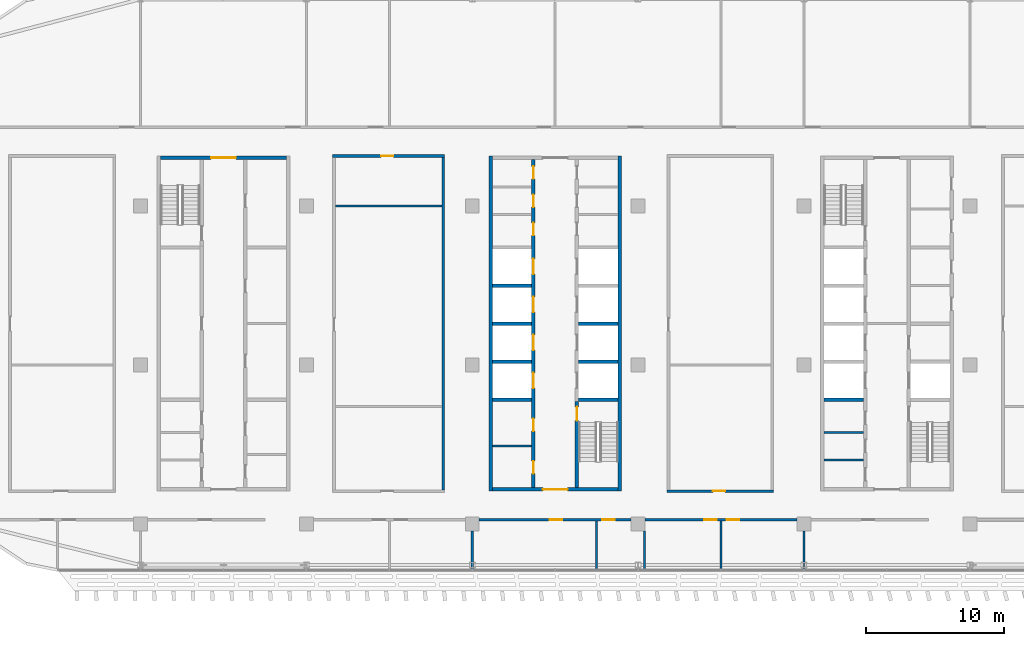
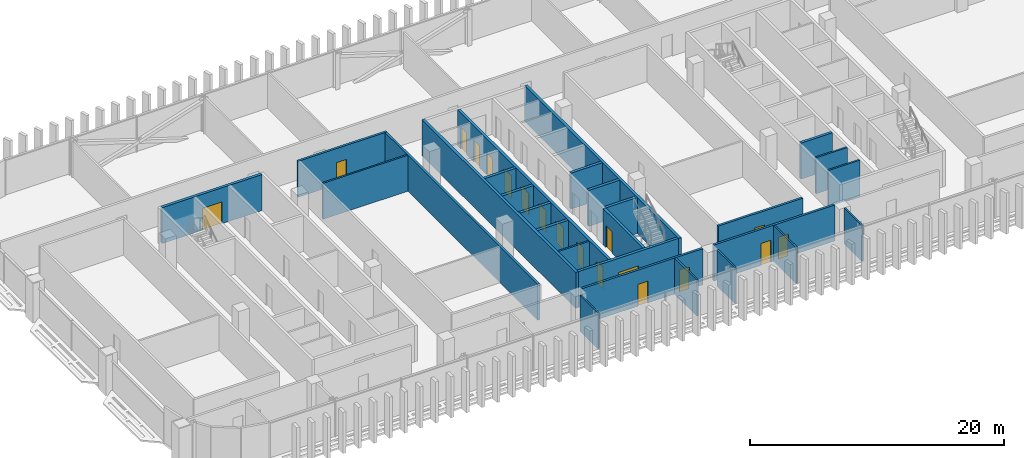
# One storey, part 18 of 35: 28 walls, 18 doors, 18 openings.
"""IFC4 building model written with IfcOpenShell, lengths in metres."""

from ifc_helpers import new_model, si_unit, direction, frame, frame_2d, origin, place, context, subcontext, project, spatial, rectangle, extrude, material, layer, layer_set, type_object, element, fill, save


model = new_model("IFC4")

# Units and contexts
model_context = context("Model", 3, precision=1e-05, world=origin(), true_north=direction((0.0, 1.0)))
body_context = subcontext(model_context, "Body", "Model", "MODEL_VIEW")
ifc_project = project(units=[si_unit("LENGTHUNIT", "METRE"), si_unit("AREAUNIT", "SQUARE_METRE"), si_unit("VOLUMEUNIT", "CUBIC_METRE"), si_unit("PLANEANGLEUNIT", "RADIAN"), si_unit("MASSUNIT", "GRAM", prefix="KILO")], contexts=[model_context])

# Site, building, storey
site_placement = place(None, origin())
site = spatial("IfcSite", under=ifc_project, at=site_placement, CompositionType="ELEMENT")
building_placement = place(site_placement, origin())
building = spatial("IfcBuilding", under=site, at=building_placement, Name="Mahtab Terrace Research Tower", CompositionType="ELEMENT")
storey_placement = place(building_placement, frame((0.0, 0.0, 251.39990234375)))
storey = spatial("IfcBuildingStorey", under=building, at=storey_placement, Name="L61", CompositionType="ELEMENT", Elevation=251.39990234375)

# Walls
ifc_material_1 = material(Name="Gypsum board partition")
ifc_layer_1 = layer(ifc_material_1, 0.14990234375)
ifc_layer_set_1 = layer_set([ifc_layer_1], Name="Core partition 150")
wall_type_1 = type_object("IfcWallType", Name="Core partition 150", PredefinedType="PARTITIONING", material=ifc_layer_set_1)
for number, where, z_axis, x_axis, name in (
    (1, (-4.550048828125, -5.875, 0.0), (0.0, 0.0, 1.0), (1.0, 0.0, 0.0), "Core wall B pWS-888"),
    (2, (19.449951171875, -6.875, 0.0), (0.0, 0.0, 1.0), (1.0, 0.0, 0.0), "Core wall C pWS-988"),
    (3, (19.449951171875, -4.875, 0.0), (0.0, 0.0, 1.0), (1.0, 0.0, 0.0), "Core wall C pWS-788"),
):
    element("IfcWall", number, at=place(storey_placement, frame(where, z_axis=z_axis, x_axis=x_axis)), inside=storey, type_object=wall_type_1, Name=name, PredefinedType="PARTITIONING", context=body_context, shape_type="SweptSolid", body=[
        extrude(rectangle(XDim=2.85009765625, YDim=0.14990234375, at=frame_2d((1.425048828125, 0.0))), origin(), (0.0, 0.0, 1.0), 3.460205078125),
    ])

# Wall, opening, door
ifc_material_2 = material(Name="Concrete C70/85", Category="concrete")
ifc_layer_2 = layer(ifc_material_2, 0.25)
ifc_layer_set_2 = layer_set([ifc_layer_2], Name="Core wall 250")
wall_type_2 = type_object("IfcWallType", Name="Core wall 250", PredefinedType="SOLIDWALL", material=ifc_layer_set_2)
wall_1_placement = place(storey_placement, frame((-28.550048828125, 15.0, 0.0), z_axis=(0.0, 0.0, 1.0), x_axis=(1.0, 0.0, 0.0)))
wall_1 = element("IfcWall", 4, at=wall_1_placement, inside=storey, type_object=wall_type_2, Name="Core wall A endN", PredefinedType="SOLIDWALL", context=body_context, shape_type="SweptSolid", body=[
    extrude(rectangle(XDim=9.10009765625, YDim=0.25, at=frame_2d((4.550048828125, 0.0))), origin(), (0.0, 0.0, 1.0), 3.460205078125),
])
opening_1_placement = place(wall_1_placement, frame((3.64990234375, 0.0, 0.0)))
opening_1 = element("IfcOpeningElement", 5, at=opening_1_placement, cuts=wall_1, Name="Opening A-N1", PredefinedType="OPENING", context=body_context, shape_type="SweptSolid", body=[
    extrude(rectangle(XDim=1.800048828125, YDim=2.10009765625, at=frame_2d((0.89990234375, 1.050048828125))), frame((0.0, 0.135009765625, 0.0), z_axis=(0.0, -1.0, 0.0), x_axis=(1.0, 0.0, 0.0)), (0.0, 0.0, 1.0), 0.27001953125),
])
ifc_material_3 = material(Name="Steel fire door", Category="steel")
door_type_1 = type_object("IfcDoorType", Name="Lobby double door 1800x2100 1 HR", OperationType="DOUBLE_DOOR_SINGLE_SWING", PredefinedType="DOOR", material=ifc_material_3)
door_1_placement = place(opening_1_placement, origin())
door_1 = element("IfcDoor", 6, at=door_1_placement, inside=storey, type_object=door_type_1, Name="Core entrance door A N", OperationType="DOUBLE_DOOR_SINGLE_SWING", OverallHeight=2.10009765625, OverallWidth=1.800048828125, PredefinedType="DOOR", context=body_context, shape_type="SweptSolid", body=[
    extrude(rectangle(XDim=1.800048828125, YDim=2.10009765625, at=frame_2d((0.89990234375, 1.050048828125))), frame((0.0, 0.02490234375, 0.0), z_axis=(0.0, -1.0, 0.0), x_axis=(1.0, 0.0, 0.0)), (0.0, 0.0, 1.0), 0.050048828125),
])
fill(opening_1, door_1)

# Walls
for number, where, z_axis, x_axis, name in (
    (7, (-4.675048828125, 15.125, 0.0), (0.0, 0.0, 1.0), (0.0, -1.0, 0.0), "Core wall B outerW"),
    (8, (4.675048828125, -9.125, 0.0), (0.0, 0.0, 1.0), (0.0, 1.0, 0.0), "Core wall B outerE"),
):
    element("IfcWall", number, at=place(storey_placement, frame(where, z_axis=z_axis, x_axis=x_axis)), inside=storey, type_object=wall_type_2, Name=name, PredefinedType="SOLIDWALL", context=body_context, shape_type="SweptSolid", body=[
        extrude(rectangle(XDim=24.25, YDim=0.25, at=frame_2d((12.125, 0.0))), origin(), (0.0, 0.0, 1.0), 3.460205078125),
    ])

# Wall, opening, door
wall_2_placement = place(storey_placement, frame((4.550048828125, -9.0, 0.0), z_axis=(0.0, 0.0, 1.0), x_axis=(-1.0, 0.0, 0.0)))
wall_2 = element("IfcWall", 9, at=wall_2_placement, inside=storey, type_object=wall_type_2, Name="Core wall B endS", PredefinedType="SOLIDWALL", context=body_context, shape_type="SweptSolid", body=[
    extrude(rectangle(XDim=9.10009765625, YDim=0.25, at=frame_2d((4.550048828125, 0.0))), origin(), (0.0, 0.0, 1.0), 3.460205078125),
])
opening_2_placement = place(wall_2_placement, frame((3.64990234375, 0.0, 0.0)))
opening_2 = element("IfcOpeningElement", 10, at=opening_2_placement, cuts=wall_2, Name="Opening B-S1", PredefinedType="OPENING", context=body_context, shape_type="SweptSolid", body=[
    extrude(rectangle(XDim=1.800048828125, YDim=2.10009765625, at=frame_2d((0.89990234375, 1.050048828125))), frame((0.0, 0.135009765625, 0.0), z_axis=(0.0, -1.0, 0.0), x_axis=(1.0, 0.0, 0.0)), (0.0, 0.0, 1.0), 0.27001953125),
])
door_2_placement = place(opening_2_placement, origin())
door_2 = element("IfcDoor", 11, at=door_2_placement, inside=storey, type_object=door_type_1, Name="Core entrance door B S", OperationType="DOUBLE_DOOR_SINGLE_SWING", OverallHeight=2.10009765625, OverallWidth=1.800048828125, PredefinedType="DOOR", context=body_context, shape_type="SweptSolid", body=[
    extrude(rectangle(XDim=1.800048828125, YDim=2.10009765625, at=frame_2d((0.89990234375, 1.050048828125))), frame((0.0, 0.02490234375, 0.0), z_axis=(0.0, -1.0, 0.0), x_axis=(1.0, 0.0, 0.0)), (0.0, 0.0, 1.0), 0.050048828125),
])
fill(opening_2, door_2)

# Wall, openings, doors
wall_3_placement = place(storey_placement, frame((-1.574951171875, -8.875, 0.0), z_axis=(0.0, 0.0, 1.0), x_axis=(0.0, 1.0, 0.0)))
wall_3 = element("IfcWall", 12, at=wall_3_placement, inside=storey, type_object=wall_type_2, Name="Core wall B innerWSLN", PredefinedType="SOLIDWALL", context=body_context, shape_type="SweptSolid", body=[
    extrude(rectangle(XDim=23.75, YDim=0.25, at=frame_2d((11.875, 0.0))), origin(), (0.0, 0.0, 1.0), 3.460205078125),
])
opening_3_placement = place(wall_3_placement, frame((7.199951171875, 0.0, 0.0)))
opening_3 = element("IfcOpeningElement", 13, at=opening_3_placement, cuts=wall_3, Name="Opening LD09-L61", PredefinedType="OPENING", context=body_context, shape_type="SweptSolid", body=[
    extrude(rectangle(XDim=1.10009765625, YDim=2.10009765625, at=frame_2d((0.550048828125, 1.050048828125))), frame((0.0, 0.135009765625, 0.0), z_axis=(0.0, -1.0, 0.0), x_axis=(1.0, 0.0, 0.0)), (0.0, 0.0, 1.0), 0.27001953125),
])
opening_4_placement = place(wall_3_placement, frame((9.949951171875, 0.0, 0.0)))
opening_4 = element("IfcOpeningElement", 14, at=opening_4_placement, cuts=wall_3, Name="Opening LD10-L61", PredefinedType="OPENING", context=body_context, shape_type="SweptSolid", body=[
    extrude(rectangle(XDim=1.10009765625, YDim=2.10009765625, at=frame_2d((0.550048828125, 1.050048828125))), frame((0.0, 0.135009765625, 0.0), z_axis=(0.0, -1.0, 0.0), x_axis=(1.0, 0.0, 0.0)), (0.0, 0.0, 1.0), 0.27001953125),
])
opening_5_placement = place(wall_3_placement, frame((12.699951171875, 0.0, 0.0)))
opening_5 = element("IfcOpeningElement", 15, at=opening_5_placement, cuts=wall_3, Name="Opening LD11-L61", PredefinedType="OPENING", context=body_context, shape_type="SweptSolid", body=[
    extrude(rectangle(XDim=1.10009765625, YDim=2.10009765625, at=frame_2d((0.550048828125, 1.050048828125))), frame((0.0, 0.135009765625, 0.0), z_axis=(0.0, -1.0, 0.0), x_axis=(1.0, 0.0, 0.0)), (0.0, 0.0, 1.0), 0.27001953125),
])
opening_6_placement = place(wall_3_placement, frame((15.449951171875, 0.0, 0.0)))
opening_6 = element("IfcOpeningElement", 16, at=opening_6_placement, cuts=wall_3, Name="Opening LD12-L61", PredefinedType="OPENING", context=body_context, shape_type="SweptSolid", body=[
    extrude(rectangle(XDim=1.10009765625, YDim=2.10009765625, at=frame_2d((0.550048828125, 1.050048828125))), frame((0.0, 0.135009765625, 0.0), z_axis=(0.0, -1.0, 0.0), x_axis=(1.0, 0.0, 0.0)), (0.0, 0.0, 1.0), 0.27001953125),
])
opening_7_placement = place(wall_3_placement, frame((1.012451171875, 0.0, 0.0)))
opening_7 = element("IfcOpeningElement", 17, at=opening_7_placement, cuts=wall_3, Name="Opening B-R1", PredefinedType="OPENING", context=body_context, shape_type="SweptSolid", body=[
    extrude(rectangle(XDim=0.89990234375, YDim=2.10009765625, at=frame_2d((0.449951171875, 1.050048828125))), frame((0.0, 0.135009765625, 0.0), z_axis=(0.0, -1.0, 0.0), x_axis=(1.0, 0.0, 0.0)), (0.0, 0.0, 1.0), 0.27001953125),
])
opening_8_placement = place(wall_3_placement, frame((4.08740234375, 0.0, 0.0)))
opening_8 = element("IfcOpeningElement", 18, at=opening_8_placement, cuts=wall_3, Name="Opening B-R2", PredefinedType="OPENING", context=body_context, shape_type="SweptSolid", body=[
    extrude(rectangle(XDim=0.89990234375, YDim=2.10009765625, at=frame_2d((0.449951171875, 1.050048828125))), frame((0.0, 0.135009765625, 0.0), z_axis=(0.0, -1.0, 0.0), x_axis=(1.0, 0.0, 0.0)), (0.0, 0.0, 1.0), 0.27001953125),
])
opening_9_placement = place(wall_3_placement, frame((18.262451171875, 0.0, 0.0)))
opening_9 = element("IfcOpeningElement", 19, at=opening_9_placement, cuts=wall_3, Name="Opening B-R3", PredefinedType="OPENING", context=body_context, shape_type="SweptSolid", body=[
    extrude(rectangle(XDim=0.89990234375, YDim=2.10009765625, at=frame_2d((0.449951171875, 1.050048828125))), frame((0.0, 0.135009765625, 0.0), z_axis=(0.0, -1.0, 0.0), x_axis=(1.0, 0.0, 0.0)), (0.0, 0.0, 1.0), 0.27001953125),
])
opening_10_placement = place(wall_3_placement, frame((20.300048828125, 0.0, 0.0)))
opening_10 = element("IfcOpeningElement", 20, at=opening_10_placement, cuts=wall_3, Name="Opening B-R4", PredefinedType="OPENING", context=body_context, shape_type="SweptSolid", body=[
    extrude(rectangle(XDim=0.89990234375, YDim=2.10009765625, at=frame_2d((0.449951171875, 1.050048828125))), frame((0.0, 0.135009765625, 0.0), z_axis=(0.0, -1.0, 0.0), x_axis=(1.0, 0.0, 0.0)), (0.0, 0.0, 1.0), 0.27001953125),
])
opening_11_placement = place(wall_3_placement, frame((22.33740234375, 0.0, 0.0)))
opening_11 = element("IfcOpeningElement", 21, at=opening_11_placement, cuts=wall_3, Name="Opening B-R5", PredefinedType="OPENING", context=body_context, shape_type="SweptSolid", body=[
    extrude(rectangle(XDim=0.89990234375, YDim=2.10009765625, at=frame_2d((0.449951171875, 1.050048828125))), frame((0.0, 0.135009765625, 0.0), z_axis=(0.0, -1.0, 0.0), x_axis=(1.0, 0.0, 0.0)), (0.0, 0.0, 1.0), 0.27001953125),
])
ifc_material_4 = material(Name="Stainless steel AISI 304", Category="steel")
door_type_2 = type_object("IfcDoorType", Name="Landing door 1100x2100", OperationType="DOUBLE_DOOR_SLIDING", PredefinedType="DOOR", material=ifc_material_4)
door_3_placement = place(opening_3_placement, origin())
door_3 = element("IfcDoor", 22, at=door_3_placement, inside=storey, type_object=door_type_2, Name="Landing door HR1 L61", OperationType="DOUBLE_DOOR_SLIDING", OverallHeight=2.10009765625, OverallWidth=1.10009765625, PredefinedType="DOOR", context=body_context, shape_type="SweptSolid", body=[
    extrude(rectangle(XDim=1.10009765625, YDim=2.10009765625, at=frame_2d((0.550048828125, 1.050048828125))), frame((0.0, 0.02490234375, 0.0), z_axis=(0.0, -1.0, 0.0), x_axis=(1.0, 0.0, 0.0)), (0.0, 0.0, 1.0), 0.050048828125),
])
fill(opening_3, door_3)
door_4_placement = place(opening_4_placement, origin())
door_4 = element("IfcDoor", 23, at=door_4_placement, inside=storey, type_object=door_type_2, Name="Landing door HR2 L61", OperationType="DOUBLE_DOOR_SLIDING", OverallHeight=2.10009765625, OverallWidth=1.10009765625, PredefinedType="DOOR", context=body_context, shape_type="SweptSolid", body=[
    extrude(rectangle(XDim=1.10009765625, YDim=2.10009765625, at=frame_2d((0.550048828125, 1.050048828125))), frame((0.0, 0.02490234375, 0.0), z_axis=(0.0, -1.0, 0.0), x_axis=(1.0, 0.0, 0.0)), (0.0, 0.0, 1.0), 0.050048828125),
])
fill(opening_4, door_4)
door_5_placement = place(opening_5_placement, origin())
door_5 = element("IfcDoor", 24, at=door_5_placement, inside=storey, type_object=door_type_2, Name="Landing door HR3 L61", OperationType="DOUBLE_DOOR_SLIDING", OverallHeight=2.10009765625, OverallWidth=1.10009765625, PredefinedType="DOOR", context=body_context, shape_type="SweptSolid", body=[
    extrude(rectangle(XDim=1.10009765625, YDim=2.10009765625, at=frame_2d((0.550048828125, 1.050048828125))), frame((0.0, 0.02490234375, 0.0), z_axis=(0.0, -1.0, 0.0), x_axis=(1.0, 0.0, 0.0)), (0.0, 0.0, 1.0), 0.050048828125),
])
fill(opening_5, door_5)
door_6_placement = place(opening_6_placement, origin())
door_6 = element("IfcDoor", 25, at=door_6_placement, inside=storey, type_object=door_type_2, Name="Landing door HR4 L61", OperationType="DOUBLE_DOOR_SLIDING", OverallHeight=2.10009765625, OverallWidth=1.10009765625, PredefinedType="DOOR", context=body_context, shape_type="SweptSolid", body=[
    extrude(rectangle(XDim=1.10009765625, YDim=2.10009765625, at=frame_2d((0.550048828125, 1.050048828125))), frame((0.0, 0.02490234375, 0.0), z_axis=(0.0, -1.0, 0.0), x_axis=(1.0, 0.0, 0.0)), (0.0, 0.0, 1.0), 0.050048828125),
])
fill(opening_6, door_6)
door_type_3 = type_object("IfcDoorType", Name="Room door 900x2100 1 HR", OperationType="NOTDEFINED", PredefinedType="DOOR", material=ifc_material_3)
door_7_placement = place(opening_7_placement, origin())
door_7 = element("IfcDoor", 26, at=door_7_placement, inside=storey, type_object=door_type_3, Name="Housekeeping store door", OperationType="SINGLE_SWING_LEFT", OverallHeight=2.10009765625, OverallWidth=0.89990234375, PredefinedType="DOOR", context=body_context, shape_type="SweptSolid", body=[
    extrude(rectangle(XDim=0.89990234375, YDim=2.10009765625, at=frame_2d((0.449951171875, 1.050048828125))), frame((0.0, 0.02490234375, 0.0), z_axis=(0.0, -1.0, 0.0), x_axis=(1.0, 0.0, 0.0)), (0.0, 0.0, 1.0), 0.050048828125),
])
fill(opening_7, door_7)
door_8_placement = place(opening_8_placement, origin())
door_8 = element("IfcDoor", 27, at=door_8_placement, inside=storey, type_object=door_type_3, Name="Electrical riser room door", OperationType="SINGLE_SWING_RIGHT", OverallHeight=2.10009765625, OverallWidth=0.89990234375, PredefinedType="DOOR", context=body_context, shape_type="SweptSolid", body=[
    extrude(rectangle(XDim=0.89990234375, YDim=2.10009765625, at=frame_2d((0.449951171875, 1.050048828125))), frame((0.0, 0.02490234375, 0.0), z_axis=(0.0, -1.0, 0.0), x_axis=(1.0, 0.0, 0.0)), (0.0, 0.0, 1.0), 0.050048828125),
])
fill(opening_8, door_8)
door_9_placement = place(opening_9_placement, origin())
door_9 = element("IfcDoor", 28, at=door_9_placement, inside=storey, type_object=door_type_3, Name="Comms riser room door", OperationType="SINGLE_SWING_LEFT", OverallHeight=2.10009765625, OverallWidth=0.89990234375, PredefinedType="DOOR", context=body_context, shape_type="SweptSolid", body=[
    extrude(rectangle(XDim=0.89990234375, YDim=2.10009765625, at=frame_2d((0.449951171875, 1.050048828125))), frame((0.0, 0.02490234375, 0.0), z_axis=(0.0, -1.0, 0.0), x_axis=(1.0, 0.0, 0.0)), (0.0, 0.0, 1.0), 0.050048828125),
])
fill(opening_9, door_9)
door_10_placement = place(opening_10_placement, origin())
door_10 = element("IfcDoor", 29, at=door_10_placement, inside=storey, type_object=door_type_3, Name="Pantry door", OperationType="SINGLE_SWING_RIGHT", OverallHeight=2.10009765625, OverallWidth=0.89990234375, PredefinedType="DOOR", context=body_context, shape_type="SweptSolid", body=[
    extrude(rectangle(XDim=0.89990234375, YDim=2.10009765625, at=frame_2d((0.449951171875, 1.050048828125))), frame((0.0, 0.02490234375, 0.0), z_axis=(0.0, -1.0, 0.0), x_axis=(1.0, 0.0, 0.0)), (0.0, 0.0, 1.0), 0.050048828125),
])
fill(opening_10, door_10)
door_11_placement = place(opening_11_placement, origin())
door_11 = element("IfcDoor", 30, at=door_11_placement, inside=storey, type_object=door_type_3, Name="Cleaners store door", OperationType="SINGLE_SWING_LEFT", OverallHeight=2.10009765625, OverallWidth=0.89990234375, PredefinedType="DOOR", context=body_context, shape_type="SweptSolid", body=[
    extrude(rectangle(XDim=0.89990234375, YDim=2.10009765625, at=frame_2d((0.449951171875, 1.050048828125))), frame((0.0, 0.02490234375, 0.0), z_axis=(0.0, -1.0, 0.0), x_axis=(1.0, 0.0, 0.0)), (0.0, 0.0, 1.0), 0.050048828125),
])
fill(opening_11, door_11)

# Wall, opening, door
wall_4_placement = place(storey_placement, frame((1.574951171875, -8.875, 0.0), z_axis=(0.0, 0.0, 1.0), x_axis=(0.0, 1.0, 0.0)))
wall_4 = element("IfcWall", 31, at=wall_4_placement, inside=storey, type_object=wall_type_2, Name="Core wall B innerES", PredefinedType="SOLIDWALL", context=body_context, shape_type="SweptSolid", body=[
    extrude(rectangle(XDim=6.25, YDim=0.25, at=frame_2d((3.125, 0.0))), origin(), (0.0, 0.0, 1.0), 3.460205078125),
])
opening_12_placement = place(wall_4_placement, frame((4.85009765625, 0.0, 0.0)))
opening_12 = element("IfcOpeningElement", 32, at=opening_12_placement, cuts=wall_4, Name="Opening B-ST2", PredefinedType="OPENING", context=body_context, shape_type="SweptSolid", body=[
    extrude(rectangle(XDim=1.0, YDim=2.10009765625, at=frame_2d((0.5, 1.050048828125))), frame((0.0, 0.135009765625, 0.0), z_axis=(0.0, -1.0, 0.0), x_axis=(1.0, 0.0, 0.0)), (0.0, 0.0, 1.0), 0.27001953125),
])
door_type_4 = type_object("IfcDoorType", Name="Stair door 1000x2100 1.5 HR", OperationType="NOTDEFINED", PredefinedType="DOOR", material=ifc_material_3)
door_12_placement = place(opening_12_placement, origin())
door_12 = element("IfcDoor", 33, at=door_12_placement, inside=storey, type_object=door_type_4, Name="Stair door ST2 L61", OperationType="SINGLE_SWING_LEFT", OverallHeight=2.10009765625, OverallWidth=1.0, PredefinedType="DOOR", context=body_context, shape_type="SweptSolid", body=[
    extrude(rectangle(XDim=1.0, YDim=2.10009765625, at=frame_2d((0.5, 1.050048828125))), frame((0.0, 0.02490234375, 0.0), z_axis=(0.0, -1.0, 0.0), x_axis=(1.0, 0.0, 0.0)), (0.0, 0.0, 1.0), 0.050048828125),
])
fill(opening_12, door_12)

# Walls
for number, where, z_axis, x_axis, name in (
    (34, (-4.550048828125, -2.5, 0.0), (0.0, 0.0, 1.0), (1.0, 0.0, 0.0), "Core wall B divW0"),
    (35, (-4.550048828125, 0.25, 0.0), (0.0, 0.0, 1.0), (1.0, 0.0, 0.0), "Core wall B divW1"),
    (36, (-4.550048828125, 3.0, 0.0), (0.0, 0.0, 1.0), (1.0, 0.0, 0.0), "Core wall B divW2"),
    (37, (-4.550048828125, 5.75, 0.0), (0.0, 0.0, 1.0), (1.0, 0.0, 0.0), "Core wall B divW3"),
    (38, (1.699951171875, -2.5, 0.0), (0.0, 0.0, 1.0), (1.0, 0.0, 0.0), "Core wall B divE0"),
    (39, (1.699951171875, 0.25, 0.0), (0.0, 0.0, 1.0), (1.0, 0.0, 0.0), "Core wall B divE1"),
    (40, (1.699951171875, 3.0, 0.0), (0.0, 0.0, 1.0), (1.0, 0.0, 0.0), "Core wall B divE2"),
    (41, (19.449951171875, -2.5, 0.0), (0.0, 0.0, 1.0), (1.0, 0.0, 0.0), "Core wall C divW0"),
):
    element("IfcWall", number, at=place(storey_placement, frame(where, z_axis=z_axis, x_axis=x_axis)), inside=storey, type_object=wall_type_2, Name=name, PredefinedType="SOLIDWALL", context=body_context, shape_type="SweptSolid", body=[
        extrude(rectangle(XDim=2.85009765625, YDim=0.25, at=frame_2d((1.425048828125, 0.0))), origin(), (0.0, 0.0, 1.0), 3.460205078125),
    ])

# Wall, openings, doors
ifc_material_5 = material(Name="Gypsum board corridor wall on steel studs", Category="steel")
ifc_layer_3 = layer(ifc_material_5, 0.199951171875)
ifc_layer_set_3 = layer_set([ifc_layer_3], Name="WALL CORRIDOR 200")
wall_type_3 = type_object("IfcWallType", Name="WALL CORRIDOR 200", PredefinedType="PARTITIONING", material=ifc_layer_set_3)
wall_5_placement = place(storey_placement, frame((-5.5, -11.199951171875, 0.0), z_axis=(0.0, 0.0, 1.0), x_axis=(1.0, 0.0, 0.0)))
wall_5 = element("IfcWall", 42, at=wall_5_placement, inside=storey, type_object=wall_type_3, Name="L61-W004", PredefinedType="PARTITIONING", context=body_context, shape_type="SweptSolid", body=[
    extrude(rectangle(XDim=11.0, YDim=0.199951171875, at=frame_2d((5.5, 0.0))), origin(), (0.0, 0.0, 1.0), 3.460205078125),
])
opening_13_placement = place(wall_5_placement, frame((5.10009765625, 0.0, 0.0)))
opening_13 = element("IfcOpeningElement", 43, at=opening_13_placement, cuts=wall_5, Name="Opening L61-106", PredefinedType="OPENING", context=body_context, shape_type="SweptSolid", body=[
    extrude(rectangle(XDim=0.89990234375, YDim=2.10009765625, at=frame_2d((0.449951171875, 1.050048828125))), frame((0.0, 0.10986328125, 0.0), z_axis=(0.0, -1.0, 0.0), x_axis=(1.0, 0.0, 0.0)), (0.0, 0.0, 1.0), 0.219970703125),
])
opening_14_placement = place(wall_5_placement, frame((8.89990234375, 0.0, 0.0)))
opening_14 = element("IfcOpeningElement", 44, at=opening_14_placement, cuts=wall_5, Name="Opening L61-107", PredefinedType="OPENING", context=body_context, shape_type="SweptSolid", body=[
    extrude(rectangle(XDim=0.89990234375, YDim=2.10009765625, at=frame_2d((0.449951171875, 1.050048828125))), frame((0.0, 0.10986328125, 0.0), z_axis=(0.0, -1.0, 0.0), x_axis=(1.0, 0.0, 0.0)), (0.0, 0.0, 1.0), 0.219970703125),
])
ifc_material_6 = material(Name="Timber door leaf in steel frame", Category="steel")
door_type_5 = type_object("IfcDoorType", Name="DOOR 0900X2100 FD30S", OperationType="SINGLE_SWING_LEFT", PredefinedType="DOOR", material=ifc_material_6)
door_13_placement = place(opening_13_placement, origin())
door_13 = element("IfcDoor", 45, at=door_13_placement, inside=storey, type_object=door_type_5, Name="Door L61-106", OperationType="SINGLE_SWING_LEFT", OverallHeight=2.10009765625, OverallWidth=0.89990234375, PredefinedType="DOOR", context=body_context, shape_type="SweptSolid", body=[
    extrude(rectangle(XDim=0.89990234375, YDim=2.10009765625, at=frame_2d((0.449951171875, 1.050048828125))), frame((0.0, 0.02490234375, 0.0), z_axis=(0.0, -1.0, 0.0), x_axis=(1.0, 0.0, 0.0)), (0.0, 0.0, 1.0), 0.050048828125),
])
fill(opening_13, door_13)
door_14_placement = place(opening_14_placement, origin())
door_14 = element("IfcDoor", 46, at=door_14_placement, inside=storey, type_object=door_type_5, Name="Door L61-107", OperationType="SINGLE_SWING_LEFT", OverallHeight=2.10009765625, OverallWidth=0.89990234375, PredefinedType="DOOR", context=body_context, shape_type="SweptSolid", body=[
    extrude(rectangle(XDim=0.89990234375, YDim=2.10009765625, at=frame_2d((0.449951171875, 1.050048828125))), frame((0.0, 0.02490234375, 0.0), z_axis=(0.0, -1.0, 0.0), x_axis=(1.0, 0.0, 0.0)), (0.0, 0.0, 1.0), 0.050048828125),
])
fill(opening_14, door_14)

wall_6_placement = place(storey_placement, frame((6.5, -11.199951171875, 0.0), z_axis=(0.0, 0.0, 1.0), x_axis=(1.0, 0.0, 0.0)))
wall_6 = element("IfcWall", 47, at=wall_6_placement, inside=storey, type_object=wall_type_3, Name="L61-W005", PredefinedType="PARTITIONING", context=body_context, shape_type="SweptSolid", body=[
    extrude(rectangle(XDim=11.0, YDim=0.199951171875, at=frame_2d((5.5, 0.0))), origin(), (0.0, 0.0, 1.0), 3.460205078125),
])
opening_15_placement = place(wall_6_placement, frame((4.300048828125, 0.0, 0.0)))
opening_15 = element("IfcOpeningElement", 48, at=opening_15_placement, cuts=wall_6, Name="Opening L61-108", PredefinedType="OPENING", context=body_context, shape_type="SweptSolid", body=[
    extrude(rectangle(XDim=0.89990234375, YDim=2.10009765625, at=frame_2d((0.449951171875, 1.050048828125))), frame((0.0, 0.10986328125, 0.0), z_axis=(0.0, -1.0, 0.0), x_axis=(1.0, 0.0, 0.0)), (0.0, 0.0, 1.0), 0.219970703125),
])
opening_16_placement = place(wall_6_placement, frame((5.89990234375, 0.0, 0.0)))
opening_16 = element("IfcOpeningElement", 49, at=opening_16_placement, cuts=wall_6, Name="Opening L61-109", PredefinedType="OPENING", context=body_context, shape_type="SweptSolid", body=[
    extrude(rectangle(XDim=0.89990234375, YDim=2.10009765625, at=frame_2d((0.449951171875, 1.050048828125))), frame((0.0, 0.10986328125, 0.0), z_axis=(0.0, -1.0, 0.0), x_axis=(1.0, 0.0, 0.0)), (0.0, 0.0, 1.0), 0.219970703125),
])
door_15_placement = place(opening_15_placement, origin())
door_15 = element("IfcDoor", 50, at=door_15_placement, inside=storey, type_object=door_type_5, Name="Door L61-108", OperationType="SINGLE_SWING_RIGHT", OverallHeight=2.10009765625, OverallWidth=0.89990234375, PredefinedType="DOOR", context=body_context, shape_type="SweptSolid", body=[
    extrude(rectangle(XDim=0.89990234375, YDim=2.10009765625, at=frame_2d((0.449951171875, 1.050048828125))), frame((0.0, 0.02490234375, 0.0), z_axis=(0.0, -1.0, 0.0), x_axis=(1.0, 0.0, 0.0)), (0.0, 0.0, 1.0), 0.050048828125),
])
fill(opening_15, door_15)
door_16_placement = place(opening_16_placement, origin())
door_16 = element("IfcDoor", 51, at=door_16_placement, inside=storey, type_object=door_type_5, Name="Door L61-109", OperationType="SINGLE_SWING_LEFT", OverallHeight=2.10009765625, OverallWidth=0.89990234375, PredefinedType="DOOR", context=body_context, shape_type="SweptSolid", body=[
    extrude(rectangle(XDim=0.89990234375, YDim=2.10009765625, at=frame_2d((0.449951171875, 1.050048828125))), frame((0.0, 0.02490234375, 0.0), z_axis=(0.0, -1.0, 0.0), x_axis=(1.0, 0.0, 0.0)), (0.0, 0.0, 1.0), 0.050048828125),
])
fill(opening_16, door_16)

# Wall, opening, door
wall_7_placement = place(storey_placement, frame((8.10009765625, -9.125, 0.0), z_axis=(0.0, 0.0, 1.0), x_axis=(1.0, 0.0, 0.0)))
wall_7 = element("IfcWall", 52, at=wall_7_placement, inside=storey, type_object=wall_type_3, Name="L61-W011", PredefinedType="PARTITIONING", context=body_context, shape_type="SweptSolid", body=[
    extrude(rectangle(XDim=7.699951171875, YDim=0.199951171875, at=frame_2d((3.85009765625, 0.0))), origin(), (0.0, 0.0, 1.0), 3.460205078125),
])
opening_17_placement = place(wall_7_placement, frame((3.300048828125, 0.0, 0.0)))
opening_17 = element("IfcOpeningElement", 53, at=opening_17_placement, cuts=wall_7, Name="Opening L61-117", PredefinedType="OPENING", context=body_context, shape_type="SweptSolid", body=[
    extrude(rectangle(XDim=0.89990234375, YDim=2.10009765625, at=frame_2d((0.449951171875, 1.050048828125))), frame((0.0, 0.10986328125, 0.0), z_axis=(0.0, -1.0, 0.0), x_axis=(1.0, 0.0, 0.0)), (0.0, 0.0, 1.0), 0.219970703125),
])
door_17_placement = place(opening_17_placement, origin())
door_17 = element("IfcDoor", 54, at=door_17_placement, inside=storey, type_object=door_type_5, Name="Door L61-117", OperationType="SINGLE_SWING_LEFT", OverallHeight=2.10009765625, OverallWidth=0.89990234375, PredefinedType="DOOR", context=body_context, shape_type="SweptSolid", body=[
    extrude(rectangle(XDim=0.89990234375, YDim=2.10009765625, at=frame_2d((0.449951171875, 1.050048828125))), frame((0.0, 0.02490234375, 0.0), z_axis=(0.0, -1.0, 0.0), x_axis=(1.0, 0.0, 0.0)), (0.0, 0.0, 1.0), 0.050048828125),
])
fill(opening_17, door_17)

wall_8_placement = place(storey_placement, frame((-16.10009765625, 15.125, 0.0), z_axis=(0.0, 0.0, 1.0), x_axis=(1.0, 0.0, 0.0)))
wall_8 = element("IfcWall", 55, at=wall_8_placement, inside=storey, type_object=wall_type_3, Name="L61-W021", PredefinedType="PARTITIONING", context=body_context, shape_type="SweptSolid", body=[
    extrude(rectangle(XDim=8.10009765625, YDim=0.199951171875, at=frame_2d((4.050048828125, 0.0))), origin(), (0.0, 0.0, 1.0), 3.460205078125),
])
opening_18_placement = place(wall_8_placement, frame((3.5, 0.0, 0.0)))
opening_18 = element("IfcOpeningElement", 56, at=opening_18_placement, cuts=wall_8, Name="Opening L61-122", PredefinedType="OPENING", context=body_context, shape_type="SweptSolid", body=[
    extrude(rectangle(XDim=0.89990234375, YDim=2.10009765625, at=frame_2d((0.449951171875, 1.050048828125))), frame((0.0, 0.10986328125, 0.0), z_axis=(0.0, -1.0, 0.0), x_axis=(1.0, 0.0, 0.0)), (0.0, 0.0, 1.0), 0.219970703125),
])
door_18_placement = place(opening_18_placement, origin())
door_18 = element("IfcDoor", 57, at=door_18_placement, inside=storey, type_object=door_type_5, Name="Door L61-122", OperationType="SINGLE_SWING_RIGHT", OverallHeight=2.10009765625, OverallWidth=0.89990234375, PredefinedType="DOOR", context=body_context, shape_type="SweptSolid", body=[
    extrude(rectangle(XDim=0.89990234375, YDim=2.10009765625, at=frame_2d((0.449951171875, 1.050048828125))), frame((0.0, 0.02490234375, 0.0), z_axis=(0.0, -1.0, 0.0), x_axis=(1.0, 0.0, 0.0)), (0.0, 0.0, 1.0), 0.050048828125),
])
fill(opening_18, door_18)

# Walls
wall_9_placement = place(storey_placement, frame((-8.10009765625, -9.02490234375, 0.0), z_axis=(0.0, 0.0, 1.0), x_axis=(0.0, 1.0, 0.0)))
element("IfcWall", 58, at=wall_9_placement, inside=storey, type_object=wall_type_3, Name="L61-W034", PredefinedType="PARTITIONING", context=body_context, shape_type="SweptSolid", body=[
    extrude(rectangle(XDim=24.0498046875, YDim=0.199951171875, at=frame_2d((12.02490234375, 0.0))), origin(), (0.0, 0.0, 1.0), 3.460205078125),
])
ifc_material_7 = material(Name="Gypsum board partition on steel studs", Category="steel")
ifc_layer_4 = layer(ifc_material_7, 0.14990234375)
ifc_layer_set_4 = layer_set([ifc_layer_4], Name="WALL PARTITION 150")
wall_type_4 = type_object("IfcWallType", Name="WALL PARTITION 150", PredefinedType="PARTITIONING", material=ifc_layer_set_4)
wall_10_placement = place(storey_placement, frame((-15.89990234375, 11.5, 0.0), z_axis=(0.0, 0.0, 1.0), x_axis=(1.0, 0.0, 0.0)))
element("IfcWall", 59, at=wall_10_placement, inside=storey, type_object=wall_type_4, Name="L61-W017", PredefinedType="PARTITIONING", context=body_context, shape_type="SweptSolid", body=[
    extrude(rectangle(XDim=7.699951171875, YDim=0.14990234375, at=frame_2d((3.85009765625, 0.0))), origin(), (0.0, 0.0, 1.0), 3.460205078125),
])
wall_11_placement = place(storey_placement, frame((-6.0, -14.80908203125, 0.0), z_axis=(0.0, 0.0, 1.0), x_axis=(0.0, 1.0, 0.0)))
element("IfcWall", 60, at=wall_11_placement, inside=storey, type_object=wall_type_4, Name="L61-W035", PredefinedType="PARTITIONING", context=body_context, shape_type="SweptSolid", body=[
    extrude(rectangle(XDim=2.80908203125, YDim=0.14990234375, at=frame_2d((1.404541015625, 0.0))), origin(), (0.0, 0.0, 1.0), 3.460205078125),
])
wall_12_placement = place(storey_placement, frame((3.0, -14.80908203125, 0.0), z_axis=(0.0, 0.0, 1.0), x_axis=(0.0, 1.0, 0.0)))
element("IfcWall", 61, at=wall_12_placement, inside=storey, type_object=wall_type_4, Name="L61-W037", PredefinedType="PARTITIONING", context=body_context, shape_type="SweptSolid", body=[
    extrude(rectangle(XDim=3.509033203125, YDim=0.14990234375, at=frame_2d((1.75439453125, 0.0))), origin(), (0.0, 0.0, 1.0), 3.460205078125),
])
wall_13_placement = place(storey_placement, frame((6.449951171875, -14.80908203125, 0.0), z_axis=(0.0, 0.0, 1.0), x_axis=(0.0, 1.0, 0.0)))
element("IfcWall", 62, at=wall_13_placement, inside=storey, type_object=wall_type_4, Name="L61-W038", PredefinedType="PARTITIONING", context=body_context, shape_type="SweptSolid", body=[
    extrude(rectangle(XDim=2.80908203125, YDim=0.14990234375, at=frame_2d((1.404541015625, 0.0))), origin(), (0.0, 0.0, 1.0), 3.460205078125),
])
wall_14_placement = place(storey_placement, frame((12.0, -14.80908203125, 0.0), z_axis=(0.0, 0.0, 1.0), x_axis=(0.0, 1.0, 0.0)))
element("IfcWall", 63, at=wall_14_placement, inside=storey, type_object=wall_type_4, Name="L61-W040", PredefinedType="PARTITIONING", context=body_context, shape_type="SweptSolid", body=[
    extrude(rectangle(XDim=3.509033203125, YDim=0.14990234375, at=frame_2d((1.75439453125, 0.0))), origin(), (0.0, 0.0, 1.0), 3.460205078125),
])
wall_15_placement = place(storey_placement, frame((18.0, -14.80908203125, 0.0), z_axis=(0.0, 0.0, 1.0), x_axis=(0.0, 1.0, 0.0)))
element("IfcWall", 64, at=wall_15_placement, inside=storey, type_object=wall_type_4, Name="L61-W043", PredefinedType="PARTITIONING", context=body_context, shape_type="SweptSolid", body=[
    extrude(rectangle(XDim=2.80908203125, YDim=0.14990234375, at=frame_2d((1.404541015625, 0.0))), origin(), (0.0, 0.0, 1.0), 3.460205078125),
])

save(model, "model.ifc")
